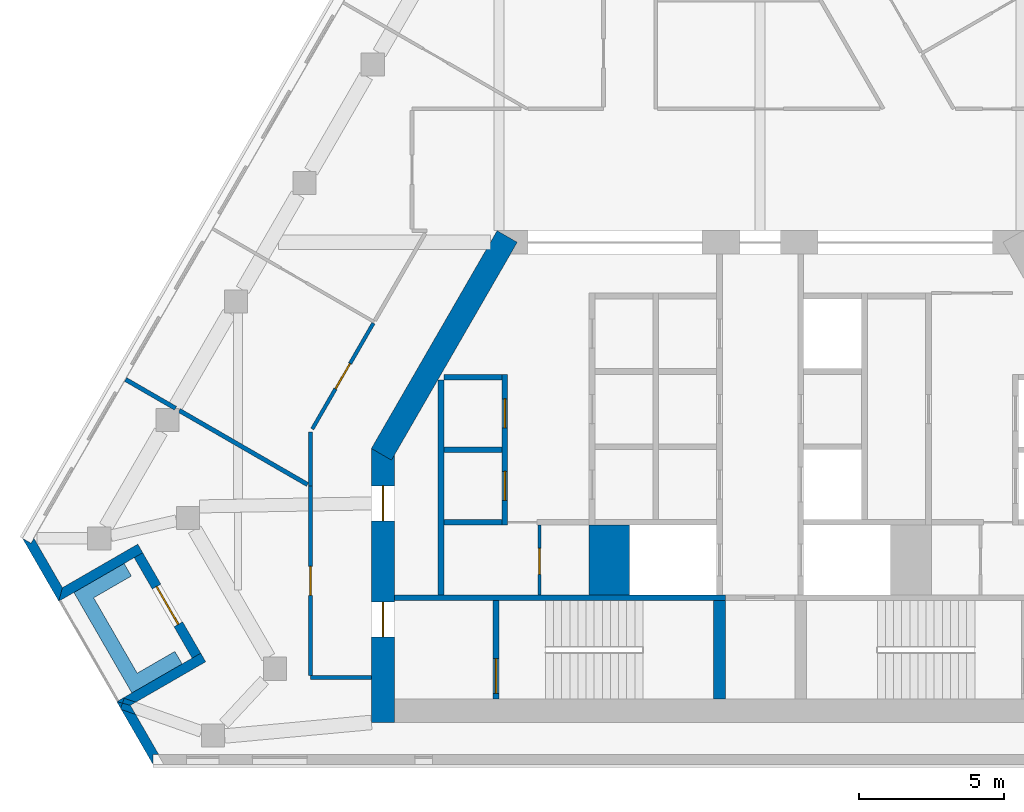
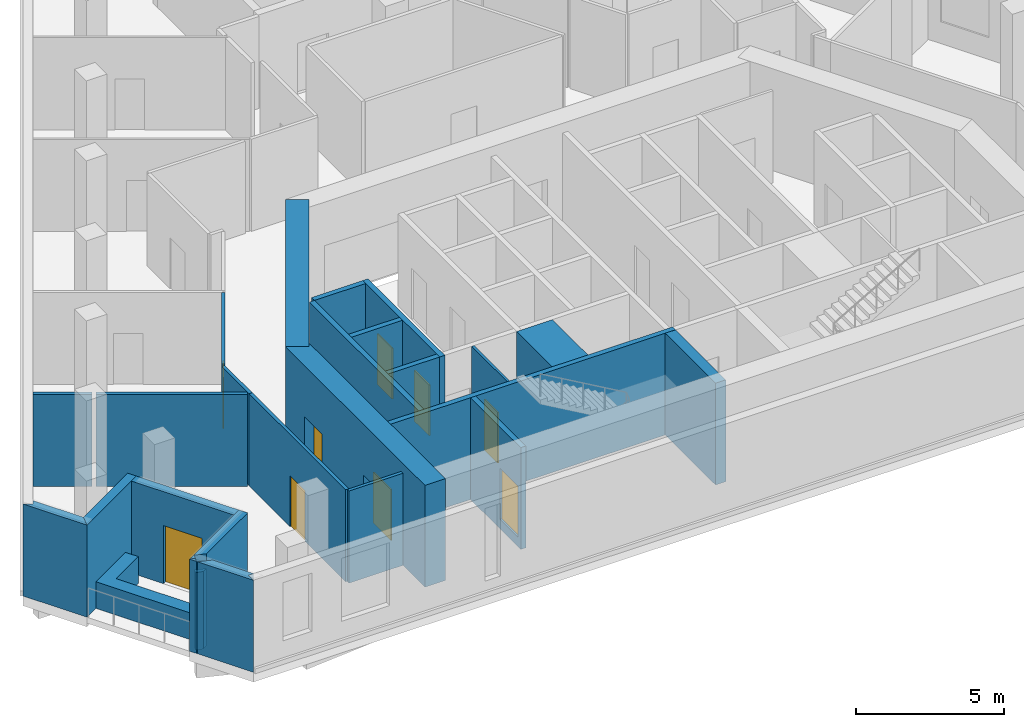
# One storey, part 2 of 9: 27 walls, 9 doors, 9 openings.
"""IFC4 building model written with IfcOpenShell, lengths in metres."""

from ifc_helpers import new_model, si_unit, direction, frame, frame_2d, origin, place, context, subcontext, project, spatial, polyline, rectangle, outline, extrude, material, layer, layer_set, type_object, element, fill, save


model = new_model("IFC4")

# Units and contexts
model_context = context("Model", 3, precision=1e-05, world=origin(), true_north=direction((0.0, 1.0)))
body_context = subcontext(model_context, "Body", "Model", "MODEL_VIEW")
ifc_project = project(units=[si_unit("LENGTHUNIT", "METRE"), si_unit("AREAUNIT", "SQUARE_METRE"), si_unit("VOLUMEUNIT", "CUBIC_METRE"), si_unit("PLANEANGLEUNIT", "RADIAN"), si_unit("MASSUNIT", "GRAM", prefix="KILO")], contexts=[model_context])

# Site, building, storey
site_placement = place(None, origin())
site = spatial("IfcSite", under=ifc_project, at=site_placement, CompositionType="ELEMENT")
building_placement = place(site_placement, origin())
building = spatial("IfcBuilding", under=site, at=building_placement, Name="Fogline Exchange Tower", CompositionType="ELEMENT")
storey_placement = place(building_placement, frame((0.0, 0.0, 287.699951171875)))
storey = spatial("IfcBuildingStorey", under=building, at=storey_placement, Name="L65", CompositionType="ELEMENT", Elevation=287.699951171875)

# Wall, opening, door
ifc_material_1 = material(Name="Blockwork partition", Category="masonry")
ifc_layer_1 = layer(ifc_material_1, 0.10009765625)
ifc_layer_set_1 = layer_set([ifc_layer_1], Name="CW10")
wall_type_1 = type_object("IfcWallType", Name="CW10", PredefinedType="PARTITIONING", material=ifc_layer_set_1)
wall_1_placement = place(storey_placement, frame((-7.60009765625, 5.85009765625, 0.0), z_axis=(0.0, 0.0, 1.0), x_axis=(0.0, 1.0, 0.0)))
wall_1 = element("IfcWall", 1, at=wall_1_placement, inside=storey, type_object=wall_type_1, Name="WC partition", PredefinedType="PARTITIONING", context=body_context, shape_type="SweptSolid", body=[
    extrude(rectangle(XDim=2.39990234375, YDim=0.10009765625, at=frame_2d((1.199951171875, 0.0))), origin(), (0.0, 0.0, 1.0), 3.800048828125),
])
opening_1_placement = place(wall_1_placement, frame((0.699951171875, 0.0, 0.0)))
opening_1 = element("IfcOpeningElement", 2, at=opening_1_placement, cuts=wall_1, Name="Opening T20-C013", PredefinedType="OPENING", context=body_context, shape_type="SweptSolid", body=[
    extrude(rectangle(XDim=0.89990234375, YDim=2.10009765625, at=frame_2d((0.449951171875, 1.050048828125))), frame((0.0, 0.06005859375, 0.0), z_axis=(0.0, -1.0, 0.0), x_axis=(1.0, 0.0, 0.0)), (0.0, 0.0, 1.0), 0.1201171875),
])
ifc_material_2 = material(Name="Steel and timber fire door", Category="steel")
door_type_1 = type_object("IfcDoorType", Name="D-CS1", OperationType="SINGLE_SWING_RIGHT", PredefinedType="DOOR", material=ifc_material_2)
door_1_placement = place(opening_1_placement, frame((0.89990234375, 0.0, 0.0), z_axis=(0.0, 0.0, 1.0), x_axis=(-1.0, 0.0, 0.0)))
door_1 = element("IfcDoor", 3, at=door_1_placement, inside=storey, type_object=door_type_1, Name="Door to Cleaner's Store", OperationType="SINGLE_SWING_RIGHT", OverallHeight=2.10009765625, OverallWidth=0.89990234375, PredefinedType="DOOR", context=body_context, shape_type="SweptSolid", body=[
    extrude(rectangle(XDim=0.89990234375, YDim=2.10009765625, at=frame_2d((0.449951171875, 1.050048828125))), frame((0.0, 0.02490234375, 0.0), z_axis=(0.0, -1.0, 0.0), x_axis=(1.0, 0.0, 0.0)), (0.0, 0.0, 1.0), 0.050048828125),
])
fill(opening_1, door_1)

# Walls
ifc_material_3 = material(Name="Concrete C60", Category="concrete")
ifc_layer_2 = layer(ifc_material_3, 1.39990234375)
ifc_layer_set_2 = layer_set([ifc_layer_2], Name="CW140")
wall_type_2 = type_object("IfcWallType", Name="CW140", PredefinedType="SOLIDWALL", material=ifc_layer_set_2)
wall_2_placement = place(storey_placement, frame((-5.199951171875, 5.85009765625, -0.39990234375), z_axis=(0.0, 0.0, 1.0), x_axis=(0.0, 1.0, 0.0)))
element("IfcWall", 4, at=wall_2_placement, inside=storey, type_object=wall_type_2, Name="Lift shaft block wall", PredefinedType="SOLIDWALL", context=body_context, shape_type="SweptSolid", body=[
    extrude(rectangle(XDim=2.39990234375, YDim=1.39990234375, at=frame_2d((1.199951171875, 0.0))), origin(), (0.0, 0.0, 1.0), 4.199951171875),
])
ifc_material_4 = material(Name="Concrete C40", Category="concrete")
ifc_layer_3 = layer(ifc_material_4, 0.199951171875)
ifc_layer_set_3 = layer_set([ifc_layer_3], Name="CW20")
wall_type_3 = type_object("IfcWallType", Name="CW20", PredefinedType="SOLIDWALL", material=ifc_layer_set_3)
wall_3_placement = place(storey_placement, frame((-11.0, 5.85009765625, 0.0), z_axis=(0.0, 0.0, 1.0), x_axis=(0.0, 1.0, 0.0)))
element("IfcWall", 5, at=wall_3_placement, inside=storey, type_object=wall_type_3, Name="Service room wall", PredefinedType="SOLIDWALL", context=body_context, shape_type="SweptSolid", body=[
    extrude(rectangle(XDim=7.39990234375, YDim=0.199951171875, at=frame_2d((3.699951171875, 0.0))), origin(), (0.0, 0.0, 1.0), 3.800048828125),
])
wall_4_placement = place(storey_placement, frame((-10.89990234375, 10.85009765625, 0.0), z_axis=(0.0, 0.0, 1.0), x_axis=(1.0, 0.0, 0.0)))
element("IfcWall", 6, at=wall_4_placement, inside=storey, type_object=wall_type_3, Name="Service room wall", PredefinedType="SOLIDWALL", context=body_context, shape_type="SweptSolid", body=[
    extrude(rectangle(XDim=2.0, YDim=0.199951171875, at=frame_2d((1.0, 0.0))), origin(), (0.0, 0.0, 1.0), 3.800048828125),
])
ifc_layer_4 = layer(ifc_material_4, 0.199951171875)
ifc_layer_set_4 = layer_set([ifc_layer_4], Name="CW20R")
wall_type_4 = type_object("IfcWallType", Name="CW20R", PredefinedType="SOLIDWALL", material=ifc_layer_set_4)
wall_5_placement = place(storey_placement, frame((-12.60009765625, 5.75, -0.39990234375), z_axis=(0.0, 0.0, 1.0), x_axis=(1.0, 0.0, 0.0)))
element("IfcWall", 7, at=wall_5_placement, inside=storey, type_object=wall_type_4, Name="Stair enclosure wall", PredefinedType="SOLIDWALL", context=body_context, shape_type="SweptSolid", body=[
    extrude(rectangle(XDim=11.400146484375, YDim=0.199951171875, at=frame_2d((5.7001953125, 0.0))), origin(), (0.0, 0.0, 1.0), 4.199951171875),
])

# Wall, opening, door
wall_6_placement = place(storey_placement, frame((-9.10009765625, 2.25, -0.39990234375), z_axis=(0.0, 0.0, 1.0), x_axis=(0.0, 1.0, 0.0)))
wall_6 = element("IfcWall", 8, at=wall_6_placement, inside=storey, type_object=wall_type_4, Name="Stair enclosure wall", PredefinedType="SOLIDWALL", context=body_context, shape_type="SweptSolid", body=[
    extrude(rectangle(XDim=3.39990234375, YDim=0.199951171875, at=frame_2d((1.699951171875, 0.0))), origin(), (0.0, 0.0, 1.0), 4.199951171875),
])
opening_2_placement = place(wall_6_placement, frame((0.199951171875, 0.0, 0.39990234375)))
opening_2 = element("IfcOpeningElement", 9, at=opening_2_placement, cuts=wall_6, Name="Opening T20-C015", PredefinedType="OPENING", context=body_context, shape_type="SweptSolid", body=[
    extrude(rectangle(XDim=1.199951171875, YDim=2.10009765625, at=frame_2d((0.60009765625, 1.050048828125))), frame((0.0, 0.10986328125, 0.0), z_axis=(0.0, -1.0, 0.0), x_axis=(1.0, 0.0, 0.0)), (0.0, 0.0, 1.0), 0.219970703125),
])
door_type_2 = type_object("IfcDoorType", Name="D-ST1", OperationType="SINGLE_SWING_LEFT", PredefinedType="DOOR", material=ifc_material_2)
door_2_placement = place(opening_2_placement, frame((1.199951171875, 0.0, 0.0), z_axis=(0.0, 0.0, 1.0), x_axis=(-1.0, 0.0, 0.0)))
door_2 = element("IfcDoor", 10, at=door_2_placement, inside=storey, type_object=door_type_2, Name="Stair door ST1", OperationType="SINGLE_SWING_RIGHT", OverallHeight=2.10009765625, OverallWidth=1.199951171875, PredefinedType="DOOR", context=body_context, shape_type="SweptSolid", body=[
    extrude(rectangle(XDim=1.199951171875, YDim=2.10009765625, at=frame_2d((0.60009765625, 1.050048828125))), frame((0.0, 0.02490234375, 0.0), z_axis=(0.0, -1.0, 0.0), x_axis=(1.0, 0.0, 0.0)), (0.0, 0.0, 1.0), 0.050048828125),
])
fill(opening_2, door_2)

# Wall, openings, doors
ifc_layer_5 = layer(ifc_material_4, 0.199951171875)
ifc_layer_set_5 = layer_set([ifc_layer_5], Name="CW20S")
wall_type_5 = type_object("IfcWallType", Name="CW20S", PredefinedType="SOLIDWALL", material=ifc_layer_set_5)
wall_7_placement = place(storey_placement, frame((-8.800048828125, 8.25, -0.39990234375), z_axis=(0.0, 0.0, 1.0), x_axis=(0.0, 1.0, 0.0)))
wall_7 = element("IfcWall", 11, at=wall_7_placement, inside=storey, type_object=wall_type_5, Name="Lift shaft wall", PredefinedType="SOLIDWALL", context=body_context, shape_type="SweptSolid", body=[
    extrude(rectangle(XDim=5.199951171875, YDim=0.199951171875, at=frame_2d((2.60009765625, 0.0))), origin(), (0.0, 0.0, 1.0), 4.199951171875),
])
opening_3_placement = place(wall_7_placement, frame((0.85009765625, 0.0, 0.39990234375)))
opening_3 = element("IfcOpeningElement", 12, at=opening_3_placement, cuts=wall_7, Name="Opening T20-C001", PredefinedType="OPENING", context=body_context, shape_type="SweptSolid", body=[
    extrude(rectangle(XDim=1.0, YDim=2.10009765625, at=frame_2d((0.5, 1.050048828125))), frame((0.0, 0.10986328125, 0.0), z_axis=(0.0, -1.0, 0.0), x_axis=(1.0, 0.0, 0.0)), (0.0, 0.0, 1.0), 0.219970703125),
])
opening_4_placement = place(wall_7_placement, frame((3.35009765625, 0.0, 0.39990234375)))
opening_4 = element("IfcOpeningElement", 13, at=opening_4_placement, cuts=wall_7, Name="Opening T20-C002", PredefinedType="OPENING", context=body_context, shape_type="SweptSolid", body=[
    extrude(rectangle(XDim=1.0, YDim=2.10009765625, at=frame_2d((0.5, 1.050048828125))), frame((0.0, 0.10986328125, 0.0), z_axis=(0.0, -1.0, 0.0), x_axis=(1.0, 0.0, 0.0)), (0.0, 0.0, 1.0), 0.219970703125),
])
door_type_3 = type_object("IfcDoorType", Name="D-RM1", OperationType="SINGLE_SWING_LEFT", PredefinedType="DOOR", material=ifc_material_2)
door_3_placement = place(opening_3_placement, origin())
door_3 = element("IfcDoor", 14, at=door_3_placement, inside=storey, type_object=door_type_3, Name="Door to Riser Room", OperationType="SINGLE_SWING_RIGHT", OverallHeight=2.10009765625, OverallWidth=1.0, PredefinedType="DOOR", context=body_context, shape_type="SweptSolid", body=[
    extrude(rectangle(XDim=1.0, YDim=2.10009765625, at=frame_2d((0.5, 1.050048828125))), frame((0.0, 0.02490234375, 0.0), z_axis=(0.0, -1.0, 0.0), x_axis=(1.0, 0.0, 0.0)), (0.0, 0.0, 1.0), 0.050048828125),
])
fill(opening_3, door_3)
door_4_placement = place(opening_4_placement, origin())
door_4 = element("IfcDoor", 15, at=door_4_placement, inside=storey, type_object=door_type_3, Name="Door to Plant Room", OperationType="SINGLE_SWING_RIGHT", OverallHeight=2.10009765625, OverallWidth=1.0, PredefinedType="DOOR", context=body_context, shape_type="SweptSolid", body=[
    extrude(rectangle(XDim=1.0, YDim=2.10009765625, at=frame_2d((0.5, 1.050048828125))), frame((0.0, 0.02490234375, 0.0), z_axis=(0.0, -1.0, 0.0), x_axis=(1.0, 0.0, 0.0)), (0.0, 0.0, 1.0), 0.050048828125),
])
fill(opening_4, door_4)

# Walls
for number, where, z_axis, x_axis, name in (
    (16, (-10.89990234375, 8.35009765625, -0.39990234375), (0.0, 0.0, 1.0), (1.0, 0.0, 0.0), "Lift shaft wall"),
    (17, (-10.89990234375, 13.35009765625, -0.39990234375), (0.0, 0.0, 1.0), (1.0, 0.0, 0.0), "Lift shaft wall"),
):
    element("IfcWall", number, at=place(storey_placement, frame(where, z_axis=z_axis, x_axis=x_axis)), inside=storey, type_object=wall_type_5, Name=name, PredefinedType="SOLIDWALL", context=body_context, shape_type="SweptSolid", body=[
        extrude(rectangle(XDim=2.0, YDim=0.199951171875, at=frame_2d((1.0, 0.0))), origin(), (0.0, 0.0, 1.0), 4.199951171875),
    ])
ifc_layer_6 = layer(ifc_material_4, 0.39990234375)
ifc_layer_set_6 = layer_set([ifc_layer_6], Name="CW40R")
wall_type_6 = type_object("IfcWallType", Name="CW40R", PredefinedType="SOLIDWALL", material=ifc_layer_set_6)
wall_8_placement = place(storey_placement, frame((-1.39990234375, 2.25, -0.39990234375), z_axis=(0.0, 0.0, 1.0), x_axis=(0.0, 1.0, 0.0)))
element("IfcWall", 18, at=wall_8_placement, inside=storey, type_object=wall_type_6, Name="Stair and lift shaft wall", PredefinedType="SOLIDWALL", context=body_context, shape_type="SweptSolid", body=[
    extrude(rectangle(XDim=3.39990234375, YDim=0.39990234375, at=frame_2d((1.699951171875, 0.0))), origin(), (0.0, 0.0, 1.0), 4.199951171875),
])
ifc_material_5 = material(Name="Brick masonry", Category="masonry")
ifc_layer_7 = layer(ifc_material_5, 0.340087890625)
ifc_layer_set_7 = layer_set([ifc_layer_7], Name="FW1")
wall_type_7 = type_object("IfcWallType", Name="FW1", PredefinedType="SOLIDWALL", material=ifc_layer_set_7)
wall_9_placement = place(storey_placement, origin())
element("IfcWall", 19, at=wall_9_placement, inside=storey, type_object=wall_type_7, Name="Brick wall L65 SW-c1", PredefinedType="SOLIDWALL", context=body_context, shape_type="SweptSolid", body=[
    extrude(outline(polyline([(-24.174560546875, 5.6279296875), (-25.425537109375, 7.794921875), (-25.42529296875, 7.79541015625), (-25.13037109375, 7.625), (-25.031982421875, 7.79541015625), (-24.049560546875, 6.09375), (-24.17431640625, 5.6279296875), (-24.174560546875, 5.6279296875)])), origin(), (0.0, 0.0, 1.0), 3.800048828125),
])
wall_10_placement = place(storey_placement, origin())
element("IfcWall", 20, at=wall_10_placement, inside=storey, type_object=wall_type_7, Name="Brick wall L65 SW-s1", PredefinedType="SOLIDWALL", context=body_context, shape_type="SweptSolid", body=[
    extrude(outline(polyline([(-21.451904296875, 7.594482421875), (-21.28125, 7.298828125), (-21.576171875, 7.128662109375), (-24.17529296875, 5.628173828125), (-24.175537109375, 5.62841796875), (-24.050537109375, 6.093994140625), (-21.451904296875, 7.594482421875)])), origin(), (0.0, 0.0, 1.0), 3.800048828125),
])

# Wall, opening, door
wall_11_placement = place(storey_placement, frame((-21.42919921875, 7.214111328125, 0.0), z_axis=(0.0, 0.0, 1.0), x_axis=(0.49999894854, -0.866026010844, 0.0)))
wall_11 = element("IfcWall", 21, at=wall_11_placement, inside=storey, type_object=wall_type_7, Name="Brick wall L65 SW-bk", PredefinedType="SOLIDWALL", context=body_context, shape_type="SweptSolid", body=[
    extrude(rectangle(XDim=4.0, YDim=0.340087890625, at=frame_2d((2.0, 0.0))), origin(), (0.0, 0.0, 1.0), 3.800048828125),
])
opening_5_placement = place(wall_11_placement, frame((1.25, 0.0, 0.0)))
opening_5 = element("IfcOpeningElement", 22, at=opening_5_placement, cuts=wall_11, Name="Opening T20-E021", PredefinedType="OPENING", context=body_context, shape_type="SweptSolid", body=[
    extrude(rectangle(XDim=1.5, YDim=2.39990234375, at=frame_2d((0.75, 1.199951171875))), frame((0.0, 0.18017578125, 0.0), z_axis=(0.0, -1.0, 0.0), x_axis=(1.0, 0.0, 0.0)), (0.0, 0.0, 1.0), 0.360107421875),
])
ifc_material_6 = material(Name="Aluminium and glass", Category="aluminium")
door_type_4 = type_object("IfcDoorType", Name="ED4", OperationType="SINGLE_SWING_LEFT", PredefinedType="DOOR", material=ifc_material_6)
door_5_placement = place(opening_5_placement, frame((1.5, 0.0, 0.0), z_axis=(0.0, 0.0, 1.0), x_axis=(-1.0, 0.0, 0.0)))
door_5 = element("IfcDoor", 23, at=door_5_placement, inside=storey, type_object=door_type_4, Name="Balcony door L65 SW", OperationType="DOUBLE_DOOR_SINGLE_SWING", OverallHeight=2.39990234375, OverallWidth=1.5, PredefinedType="DOOR", context=body_context, shape_type="SweptSolid", body=[
    extrude(rectangle(XDim=1.5, YDim=2.39990234375, at=frame_2d((0.75, 1.199951171875))), frame((0.0, 0.02490234375, 0.0), z_axis=(0.0, -1.0, 0.0), x_axis=(1.0, 0.0, 0.0)), (0.0, 0.0, 1.0), 0.050048828125),
])
fill(opening_5, door_5)

# Walls
wall_12_placement = place(storey_placement, origin())
element("IfcWall", 24, at=wall_12_placement, inside=storey, type_object=wall_type_7, Name="Brick wall L65 SW-s2", PredefinedType="SOLIDWALL", context=body_context, shape_type="SweptSolid", body=[
    extrude(outline(polyline([(-21.7099609375, 2.0400390625), (-21.980224609375, 2.1123046875), (-21.919677734375, 2.28515625), (-21.52490234375, 2.14697265625), (-21.7099609375, 2.0400390625)])), origin(), (0.0, 0.0, 1.0), 3.199951171875),
])
wall_13_placement = place(storey_placement, origin())
element("IfcWall", 25, at=wall_13_placement, inside=storey, type_object=wall_type_7, Name="Brick wall L65 SW-s2", PredefinedType="SOLIDWALL", context=body_context, shape_type="SweptSolid", body=[
    extrude(outline(polyline([(-19.576904296875, 3.66552734375), (-19.28173828125, 3.8359375), (-19.111328125, 3.540283203125), (-21.52490234375, 2.14697265625), (-21.919677734375, 2.28515625), (-21.980224609375, 2.1123046875), (-22.17578125, 2.164794921875), (-22.17578125, 2.1650390625), (-19.576904296875, 3.66552734375)])), origin(), (0.0, 0.0, 1.0), 3.800048828125),
])
wall_14_placement = place(storey_placement, origin())
element("IfcWall", 26, at=wall_14_placement, inside=storey, type_object=wall_type_7, Name="Brick wall L65 SW-c2", PredefinedType="SOLIDWALL", context=body_context, shape_type="SweptSolid", body=[
    extrude(outline(polyline([(-22.04248046875, 1.93505859375), (-21.979736328125, 2.113525390625), (-21.709716796875, 2.041015625), (-21.5263671875, 1.7236328125), (-22.020263671875, 1.896728515625), (-22.04248046875, 1.93505859375)])), origin(), (0.0, 0.0, 1.0), 3.199951171875),
])
wall_15_placement = place(storey_placement, origin())
element("IfcWall", 27, at=wall_15_placement, inside=storey, type_object=wall_type_7, Name="Brick wall L65 SW-c2", PredefinedType="SOLIDWALL", context=body_context, shape_type="SweptSolid", body=[
    extrude(outline(polyline([(-20.924072265625, 0.33935546875), (-20.924072265625, -0.0009765625), (-20.924560546875, -0.001220703125), (-22.020263671875, 1.896728515625), (-21.5263671875, 1.7236328125), (-20.727294921875, 0.33935546875), (-20.924072265625, 0.33935546875)])), origin(), (0.0, 0.0, 1.0), 3.800048828125),
])
wall_16_placement = place(storey_placement, origin())
element("IfcWall", 28, at=wall_16_placement, inside=storey, type_object=wall_type_7, Name="Brick wall L65 SW-c2", PredefinedType="SOLIDWALL", context=body_context, shape_type="SweptSolid", body=[
    extrude(outline(polyline([(-22.175537109375, 2.165771484375), (-22.175537109375, 2.166015625), (-21.979736328125, 2.113525390625), (-22.04248046875, 1.93505859375), (-22.175537109375, 2.165771484375)])), origin(), (0.0, 0.0, 1.0), 3.800048828125),
])
ifc_material_7 = material(Name="Concrete C30", Category="concrete")
ifc_layer_8 = layer(ifc_material_7, 0.199951171875)
ifc_layer_set_8 = layer_set([ifc_layer_8], Name="PL1")
wall_type_8 = type_object("IfcWallType", Name="PL1", PredefinedType="USERDEFINED", material=ifc_layer_set_8)
wall_17_placement = place(storey_placement, origin())
element("IfcWall", 29, at=wall_17_placement, inside=storey, type_object=wall_type_8, Name="PLANTER balcony L65 SW", ObjectType="PLANTER", PredefinedType="USERDEFINED", context=body_context, shape_type="SweptSolid", body=[
    extrude(outline(polyline([(-20.1728515625, 3.898193359375), (-21.471923828125, 3.148193359375), (-22.971923828125, 5.74609375), (-21.6728515625, 6.49609375), (-21.9228515625, 6.92919921875), (-23.655029296875, 5.92919921875), (-23.405029296875, 5.49609375), (-21.655029296875, 2.465087890625), (-21.221923828125, 2.715087890625), (-21.221923828125, 2.715087890625), (-19.9228515625, 3.465087890625), (-20.1728515625, 3.898193359375)])), origin(), (0.0, 0.0, 1.0), 1.10009765625),
])
ifc_material_8 = material(Name="Plasterboard corridor partition with mineral wool, 2 layers each side")
ifc_layer_9 = layer(ifc_material_8, 0.125)
ifc_layer_set_9 = layer_set([ifc_layer_9], Name="PW2")
wall_type_9 = type_object("IfcWallType", Name="PW2", PredefinedType="PARTITIONING", material=ifc_layer_set_9)
wall_18_placement = place(storey_placement, frame((-15.5, 9.5927734375, 0.0), z_axis=(0.0, 0.0, 1.0), x_axis=(0.0, 1.0, 0.0)))
element("IfcWall", 30, at=wall_18_placement, inside=storey, type_object=wall_type_9, Name="wall-L65-W017", PredefinedType="PARTITIONING", context=body_context, shape_type="SweptSolid", body=[
    extrude(rectangle(XDim=1.86181640625, YDim=0.125, at=frame_2d((0.930908203125, 0.0))), origin(), (0.0, 0.0, 1.0), 3.800048828125),
])

# Wall, opening, door
wall_19_placement = place(storey_placement, frame((-15.4375, 11.562744140625, 0.0), z_axis=(0.0, 0.0, 1.0), x_axis=(0.500010096862, 0.86601957428, 0.0)))
wall_19 = element("IfcWall", 31, at=wall_19_placement, inside=storey, type_object=wall_type_9, Name="wall-L65-W018", PredefinedType="PARTITIONING", context=body_context, shape_type="SweptSolid", body=[
    extrude(rectangle(XDim=4.21240234375, YDim=0.125, at=frame_2d((2.106201171875, 0.0))), origin(), (0.0, 0.0, 1.0), 3.800048828125),
])
opening_6_placement = place(wall_19_placement, frame((1.606201171875, 0.0, 0.0)))
opening_6 = element("IfcOpeningElement", 32, at=opening_6_placement, cuts=wall_19, Name="Opening T20-D007", PredefinedType="OPENING", context=body_context, shape_type="SweptSolid", body=[
    extrude(rectangle(XDim=1.0, YDim=2.10009765625, at=frame_2d((0.5, 1.050048828125))), frame((0.0, 0.072509765625, 0.0), z_axis=(0.0, -1.0, 0.0), x_axis=(1.0, 0.0, 0.0)), (0.0, 0.0, 1.0), 0.14501953125),
])
ifc_material_9 = material(Name="Fire-rated timber door leaf with steel frame", Category="steel")
door_type_5 = type_object("IfcDoorType", Name="D3", OperationType="SINGLE_SWING_LEFT", PredefinedType="DOOR", material=ifc_material_9)
door_6_placement = place(opening_6_placement, origin())
door_6 = element("IfcDoor", 33, at=door_6_placement, inside=storey, type_object=door_type_5, Name="door-L65-D007", OperationType="SINGLE_SWING_LEFT", OverallHeight=2.10009765625, OverallWidth=1.0, PredefinedType="DOOR", context=body_context, shape_type="SweptSolid", body=[
    extrude(rectangle(XDim=1.0, YDim=2.10009765625, at=frame_2d((0.5, 1.050048828125))), frame((0.0, 0.02490234375, 0.0), z_axis=(0.0, -1.0, 0.0), x_axis=(1.0, 0.0, 0.0)), (0.0, 0.0, 1.0), 0.050048828125),
])
fill(opening_6, door_6)

# Wall
wall_20_placement = place(storey_placement, frame((-13.39990234375, 3.0, 0.0), z_axis=(0.0, 0.0, 1.0), x_axis=(-1.0, 0.0, 0.0)))
element("IfcWall", 34, at=wall_20_placement, inside=storey, type_object=wall_type_9, Name="wall-L65-W019", PredefinedType="PARTITIONING", context=body_context, shape_type="SweptSolid", body=[
    extrude(rectangle(XDim=2.10009765625, YDim=0.125, at=frame_2d((1.050048828125, 0.0))), origin(), (0.0, 0.0, 1.0), 3.800048828125),
])

# Wall, opening, door
wall_21_placement = place(storey_placement, frame((-15.5, 3.0625, 0.0), z_axis=(0.0, 0.0, 1.0), x_axis=(0.0, 1.0, 0.0)))
wall_21 = element("IfcWall", 35, at=wall_21_placement, inside=storey, type_object=wall_type_9, Name="wall-L65-W020", PredefinedType="PARTITIONING", context=body_context, shape_type="SweptSolid", body=[
    extrude(rectangle(XDim=6.5302734375, YDim=0.125, at=frame_2d((3.26513671875, 0.0))), origin(), (0.0, 0.0, 1.0), 3.800048828125),
])
opening_7_placement = place(wall_21_placement, frame((2.76513671875, 0.0, 0.0)))
opening_7 = element("IfcOpeningElement", 36, at=opening_7_placement, cuts=wall_21, Name="Opening T20-D008", PredefinedType="OPENING", context=body_context, shape_type="SweptSolid", body=[
    extrude(rectangle(XDim=1.0, YDim=2.10009765625, at=frame_2d((0.5, 1.050048828125))), frame((0.0, 0.072509765625, 0.0), z_axis=(0.0, -1.0, 0.0), x_axis=(1.0, 0.0, 0.0)), (0.0, 0.0, 1.0), 0.14501953125),
])
door_7_placement = place(opening_7_placement, origin())
door_7 = element("IfcDoor", 37, at=door_7_placement, inside=storey, type_object=door_type_5, Name="door-L65-D008", OperationType="SINGLE_SWING_LEFT", OverallHeight=2.10009765625, OverallWidth=1.0, PredefinedType="DOOR", context=body_context, shape_type="SweptSolid", body=[
    extrude(rectangle(XDim=1.0, YDim=2.10009765625, at=frame_2d((0.5, 1.050048828125))), frame((0.0, 0.02490234375, 0.0), z_axis=(0.0, -1.0, 0.0), x_axis=(1.0, 0.0, 0.0)), (0.0, 0.0, 1.0), 0.050048828125),
])
fill(opening_7, door_7)

# Walls
ifc_material_10 = material(Name="Plasterboard demising partition with mineral wool and acoustic board")
ifc_layer_10 = layer(ifc_material_10, 0.14990234375)
ifc_layer_set_10 = layer_set([ifc_layer_10], Name="PW3")
wall_type_10 = type_object("IfcWallType", Name="PW3", PredefinedType="PARTITIONING", material=ifc_layer_set_10)
wall_22_placement = place(storey_placement, frame((-15.600341796875, 9.650634765625, 0.0), z_axis=(0.0, 0.0, 1.0), x_axis=(-0.866031147513, 0.499990051438, 0.0)))
element("IfcWall", 38, at=wall_22_placement, inside=storey, type_object=wall_type_10, Name="wall-L65-W044", PredefinedType="PARTITIONING", context=body_context, shape_type="SweptSolid", body=[
    extrude(rectangle(XDim=5.10693359375, YDim=0.14990234375, at=frame_2d((2.553466796875, 0.0))), origin(), (0.0, 0.0, 1.0), 3.800048828125),
])
wall_23_placement = place(storey_placement, frame((-20.1494140625, 12.277099609375, 0.0), z_axis=(0.0, 0.0, 1.0), x_axis=(-0.866034166718, 0.499984821847, 0.0)))
element("IfcWall", 39, at=wall_23_placement, inside=storey, type_object=wall_type_10, Name="wall-L65-W045", PredefinedType="PARTITIONING", context=body_context, shape_type="SweptSolid", body=[
    extrude(rectangle(XDim=1.98681640625, YDim=0.14990234375, at=frame_2d((0.993408203125, 0.0))), origin(), (0.0, 0.0, 1.0), 3.800048828125),
])
ifc_material_11 = material(Name="Concrete C50", Category="concrete")
ifc_layer_11 = layer(ifc_material_11, 0.800048828125)
ifc_layer_set_11 = layer_set([ifc_layer_11], Name="SW04")
wall_type_11 = type_object("IfcWallType", Name="SW04", PredefinedType="SHEAR", material=ifc_layer_set_11)
wall_24_placement = place(storey_placement, frame((-8.71875, 18.199951171875, 0.0), z_axis=(0.0, 0.0, 1.0), x_axis=(-0.500015780397, -0.866016292776, 0.0)))
element("IfcWall", 40, at=wall_24_placement, inside=storey, type_object=wall_type_11, Name="L65-W905", PredefinedType="SHEAR", context=body_context, shape_type="SweptSolid", body=[
    extrude(rectangle(XDim=8.669677734375, YDim=0.800048828125, at=frame_2d((4.3349609375, 0.0))), origin(), (0.0, 0.0, 1.0), 4.199951171875),
])

# Wall, openings, doors
wall_25_placement = place(storey_placement, frame((-13.0, 10.891845703125, 0.0), z_axis=(0.0, 0.0, 1.0), x_axis=(0.0, -1.0, 0.0)))
wall_25 = element("IfcWall", 41, at=wall_25_placement, inside=storey, type_object=wall_type_11, Name="L65-W906", PredefinedType="SHEAR", context=body_context, shape_type="SweptSolid", body=[
    extrude(rectangle(XDim=9.44189453125, YDim=0.800048828125, at=frame_2d((4.720947265625, 0.0))), origin(), (0.0, 0.0, 1.0), 4.199951171875),
])
opening_8_placement = place(wall_25_placement, frame((5.291748046875, 0.0, 0.0)))
opening_8 = element("IfcOpeningElement", 42, at=opening_8_placement, cuts=wall_25, Name="Opening T20-C014", PredefinedType="OPENING", context=body_context, shape_type="SweptSolid", body=[
    extrude(rectangle(XDim=1.199951171875, YDim=2.10009765625, at=frame_2d((0.60009765625, 1.050048828125))), frame((0.0, 0.41015625, 0.0), z_axis=(0.0, -1.0, 0.0), x_axis=(1.0, 0.0, 0.0)), (0.0, 0.0, 1.0), 0.820068359375),
])
opening_9_placement = place(wall_25_placement, frame((1.291748046875, 0.0, 0.0)))
opening_9 = element("IfcOpeningElement", 43, at=opening_9_placement, cuts=wall_25, Name="Opening T20-C016", PredefinedType="OPENING", context=body_context, shape_type="SweptSolid", body=[
    extrude(rectangle(XDim=1.199951171875, YDim=2.10009765625, at=frame_2d((0.60009765625, 1.050048828125))), frame((0.0, 0.41015625, 0.0), z_axis=(0.0, -1.0, 0.0), x_axis=(1.0, 0.0, 0.0)), (0.0, 0.0, 1.0), 0.820068359375),
])
door_type_6 = type_object("IfcDoorType", Name="D-FR1", OperationType="SINGLE_SWING_RIGHT", PredefinedType="DOOR", material=ifc_material_2)
door_8_placement = place(opening_8_placement, origin())
door_8 = element("IfcDoor", 44, at=door_8_placement, inside=storey, type_object=door_type_6, Name="Front room door ST1", OperationType="SINGLE_SWING_LEFT", OverallHeight=2.10009765625, OverallWidth=1.199951171875, PredefinedType="DOOR", context=body_context, shape_type="SweptSolid", body=[
    extrude(rectangle(XDim=1.199951171875, YDim=2.10009765625, at=frame_2d((0.60009765625, 1.050048828125))), frame((0.0, 0.02490234375, 0.0), z_axis=(0.0, -1.0, 0.0), x_axis=(1.0, 0.0, 0.0)), (0.0, 0.0, 1.0), 0.050048828125),
])
fill(opening_8, door_8)
door_type_7 = type_object("IfcDoorType", Name="D-SV1", OperationType="SINGLE_SWING_LEFT", PredefinedType="DOOR", material=ifc_material_2)
door_9_placement = place(opening_9_placement, origin())
door_9 = element("IfcDoor", 45, at=door_9_placement, inside=storey, type_object=door_type_7, Name="Service door W", OperationType="SINGLE_SWING_LEFT", OverallHeight=2.10009765625, OverallWidth=1.199951171875, PredefinedType="DOOR", context=body_context, shape_type="SweptSolid", body=[
    extrude(rectangle(XDim=1.199951171875, YDim=2.10009765625, at=frame_2d((0.60009765625, 1.050048828125))), frame((0.0, 0.02490234375, 0.0), z_axis=(0.0, -1.0, 0.0), x_axis=(1.0, 0.0, 0.0)), (0.0, 0.0, 1.0), 0.050048828125),
])
fill(opening_9, door_9)

save(model, "model.ifc")
